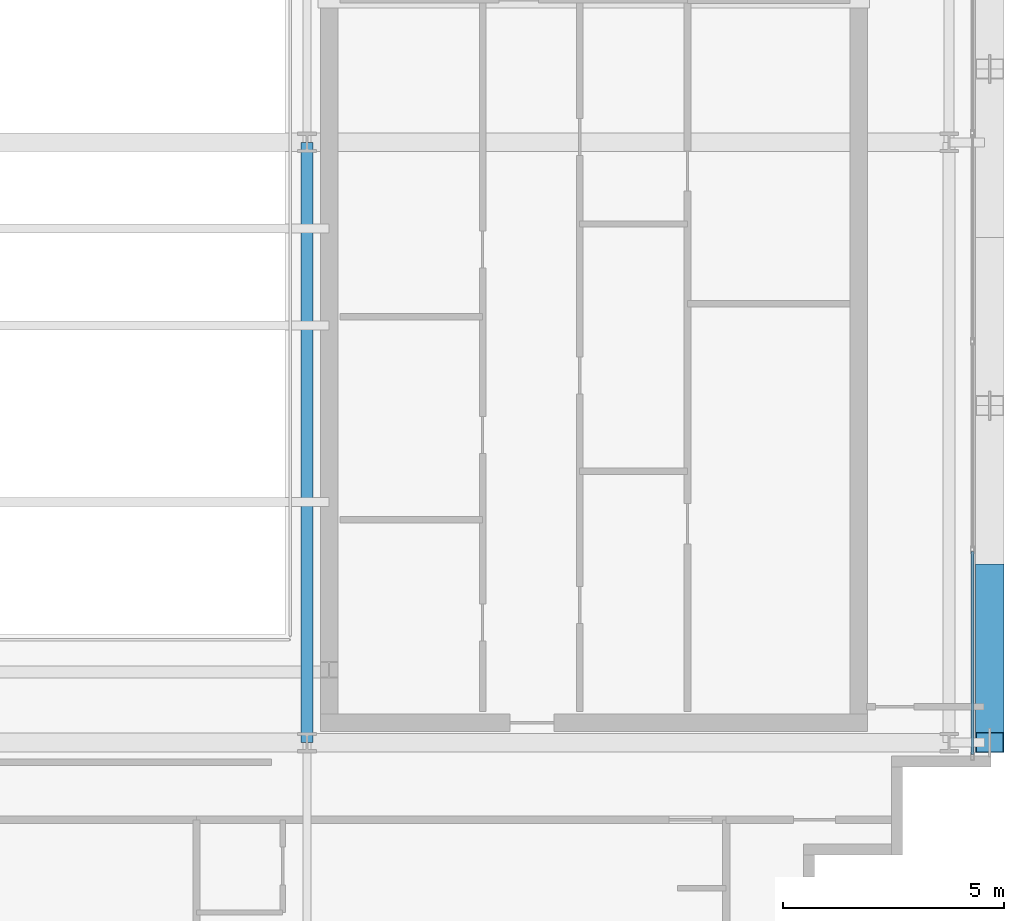
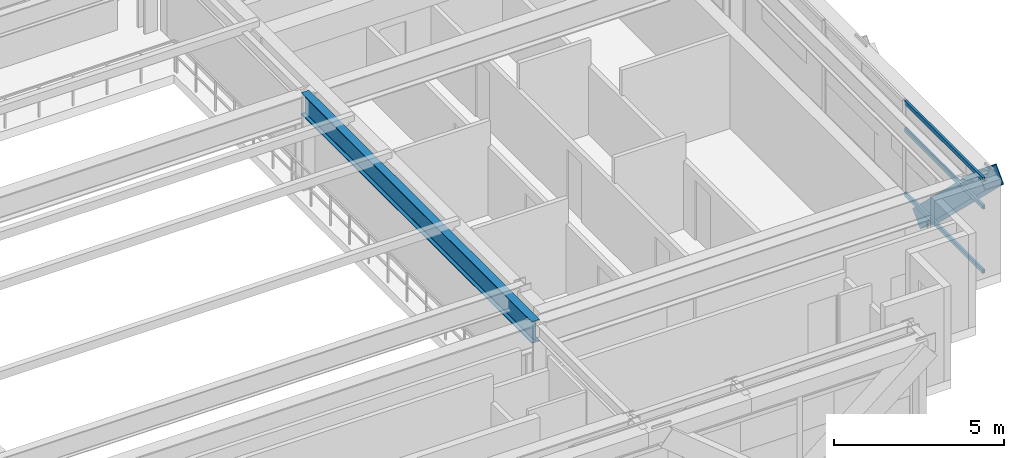
# One storey, part 11 of 29: 4 members, 1 beam, 1 element without a shape of its own.
"""IFC4 building model written with IfcOpenShell, lengths in metres."""

from ifc_helpers import new_model, si_unit, direction, frame, origin, origin_2d, place, context, subcontext, project, spatial, hollow_rectangle, i_section, extrude, source, transform, mapped, material, layer, layer_set, material_profile, profile_set, type_object, element, aggregate, save


model = new_model("IFC4")

# Units and contexts
model_context = context("Model", 3, precision=1e-05, world=origin(), true_north=direction((0.0, 1.0)))
body_context = subcontext(model_context, "Body", "Model", "MODEL_VIEW")
ifc_project = project(units=[si_unit("LENGTHUNIT", "METRE"), si_unit("AREAUNIT", "SQUARE_METRE"), si_unit("VOLUMEUNIT", "CUBIC_METRE"), si_unit("PLANEANGLEUNIT", "RADIAN"), si_unit("MASSUNIT", "GRAM", prefix="KILO")], contexts=[model_context])

# Site, building, storey
site_placement = place(None, origin())
site = spatial("IfcSite", under=ifc_project, at=site_placement, CompositionType="ELEMENT")
building_placement = place(site_placement, origin())
building = spatial("IfcBuilding", under=site, at=building_placement, Name="Ocotamira Hotel", CompositionType="ELEMENT")
storey_placement = place(building_placement, frame((0.0, 0.0, 247.199951171875)))
storey = spatial("IfcBuildingStorey", under=building, at=storey_placement, Name="L62", CompositionType="ELEMENT", Elevation=247.199951171875)

# Beam
ifc_material_1 = material(Name="Steel ASTM A992 Grade 50", Category="steel")
ifc_material_profile_1 = material_profile(ifc_material_1, i_section(OverallWidth=0.26611328125, OverallDepth=0.779052734375, WebThickness=0.0166015625, FlangeThickness=0.030029296875, FilletRadius=0.01806640625, at=origin_2d()), Name="W30X148")
ifc_profile_set_1 = profile_set([ifc_material_profile_1], Name="Steel ASTM A992 Grade 50")
beam_type = type_object("IfcBeamType", Name="BM-GIRD-W30X148", PredefinedType="BEAM", material=ifc_profile_set_1)
shared_shape_1 = source(origin(), body_context, "Body", "SweptSolid", [
    extrude(i_section(OverallWidth=0.26611328125, OverallDepth=0.779052734375, WebThickness=0.0166015625, FlangeThickness=0.030029296875, FilletRadius=0.01806640625, at=origin_2d()), origin(), (0.0, 0.0, 1.0), 13.599853515625),
])
beam_placement = place(storey_placement, frame((40.5, 14.550048828125, 2.990478515625), z_axis=(0.0, 1.0, 0.0), x_axis=(-1.0, 0.0, 0.0)))
element("IfcBeam", 1, at=beam_placement, inside=storey, type_object=beam_type, Name="L62 Beam X40.5 Y14.55-28.15", PredefinedType="BEAM", context=body_context, shape_type="MappedRepresentation", body=[
    mapped(shared_shape_1, transform((0.0, 0.0, 0.0), scale=1.0)),
])

# Member
ifc_material_2 = material(Name="Pale-metal coated steel ASTM A913 Grade 65", Category="steel")
ifc_material_profile_2 = material_profile(ifc_material_2, hollow_rectangle(XDim=0.64990234375, YDim=0.64990234375, WallThickness=0.02197265625, at=origin_2d()), Name="BOX650X650X22")
ifc_profile_set_2 = profile_set([ifc_material_profile_2], Name="Pale-metal coated steel ASTM A913 Grade 65")
member_type_1 = type_object("IfcMemberType", Name="MEM-EXO-BOX650", PredefinedType="BRACE", material=ifc_profile_set_2)
shared_shape_2 = source(origin(), body_context, "Body", "SweptSolid", [
    extrude(hollow_rectangle(XDim=0.64990234375, YDim=0.64990234375, WallThickness=0.02197265625, at=origin_2d()), origin(), (0.0, 0.0, 1.0), 5.31591796875),
])
member_1_placement = place(storey_placement, frame((55.969970703125, 18.36669921875, -0.570068359375), z_axis=(0.0, -0.717975506843, 0.696068367026), x_axis=(1.0, 0.0, 0.0)))
element("IfcMember", 2, at=member_1_placement, inside=storey, type_object=member_type_1, Name="L62 Exoskeleton Diagrid E0.1", PredefinedType="BRACE", context=body_context, shape_type="MappedRepresentation", body=[
    mapped(shared_shape_2, transform((0.0, 0.0, 0.0), scale=1.0)),
])

# Curtain wall, members
ifc_material_3 = material(Name="Anodised pale-metal aluminium and solar glass", Category="aluminium")
ifc_layer = layer(ifc_material_3, 0.239990234375)
ifc_layer_set = layer_set([ifc_layer], Name="Anodised pale-metal aluminium and solar glass")
curtain_wall_type = type_object("IfcCurtainWallType", Name="CW-SYS5-SKY", PredefinedType="NOTDEFINED", material=ifc_layer_set)
curtain_wall_placement = place(storey_placement, origin())
curtain_wall = element("IfcCurtainWall", 3, at=curtain_wall_placement, inside=storey, type_object=curtain_wall_type, Name="L62 Curtain Wall CW-5 CW-L62-E", PredefinedType="NOTDEFINED")
ifc_material_4 = material(Name="Anodised pale-metal aluminium 6063-T6", Category="aluminium")
ifc_material_profile_3 = material_profile(ifc_material_4, hollow_rectangle(XDim=0.074951171875, YDim=0.14990234375, WallThickness=0.006103515625, at=origin_2d()), Name="HSS150X75X6")
ifc_profile_set_3 = profile_set([ifc_material_profile_3], Name="Anodised pale-metal aluminium 6063-T6")
member_type_2 = type_object("IfcMemberType", Name="CWT-150X75", PredefinedType="USERDEFINED", material=ifc_profile_set_3)
shared_shape_3 = source(origin(), body_context, "Body", "SweptSolid", [
    extrude(hollow_rectangle(XDim=0.074951171875, YDim=0.14990234375, WallThickness=0.006103515625, at=origin_2d()), origin(), (0.0, 0.0, 1.0), 4.599853515625),
])
member_2_placement = place(storey_placement, frame((55.580078125, 14.280029296875, 0.03759765625), z_axis=(0.0, 1.0, 0.0), x_axis=(-1.0, 0.0, 0.0)))
member_2 = element("IfcMember", 4, at=member_2_placement, type_object=member_type_2, Name="CW-5 transom 1.1", ObjectType="TRANSOM", PredefinedType="USERDEFINED", context=body_context, shape_type="MappedRepresentation", body=[
    mapped(shared_shape_3, transform((0.0, 0.0, 0.0), scale=1.0)),
])
member_3_placement = place(storey_placement, frame((55.580078125, 14.280029296875, 2.35009765625), z_axis=(0.0, 1.0, 0.0), x_axis=(-1.0, 0.0, 0.0)))
member_3 = element("IfcMember", 5, at=member_3_placement, type_object=member_type_2, Name="CW-5 transom 1.2", ObjectType="TRANSOM", PredefinedType="USERDEFINED", context=body_context, shape_type="MappedRepresentation", body=[
    mapped(shared_shape_3, transform((0.0, 0.0, 0.0), scale=1.0)),
])
member_4_placement = place(storey_placement, frame((55.580078125, 14.280029296875, 3.342529296875), z_axis=(0.0, 1.0, 0.0), x_axis=(-1.0, 0.0, 0.0)))
member_4 = element("IfcMember", 6, at=member_4_placement, type_object=member_type_2, Name="CW-5 transom 1.3", ObjectType="TRANSOM", PredefinedType="USERDEFINED", context=body_context, shape_type="MappedRepresentation", body=[
    mapped(shared_shape_3, transform((0.0, 0.0, 0.0), scale=1.0)),
])
aggregate(curtain_wall, [member_2, member_3, member_4])

save(model, "model.ifc")
